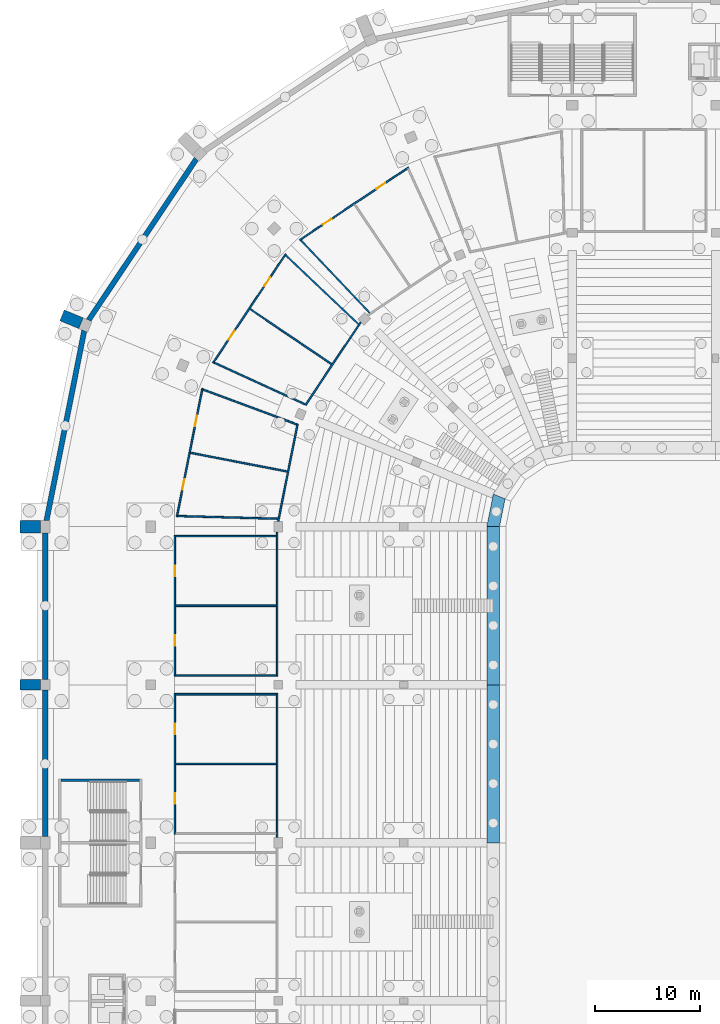
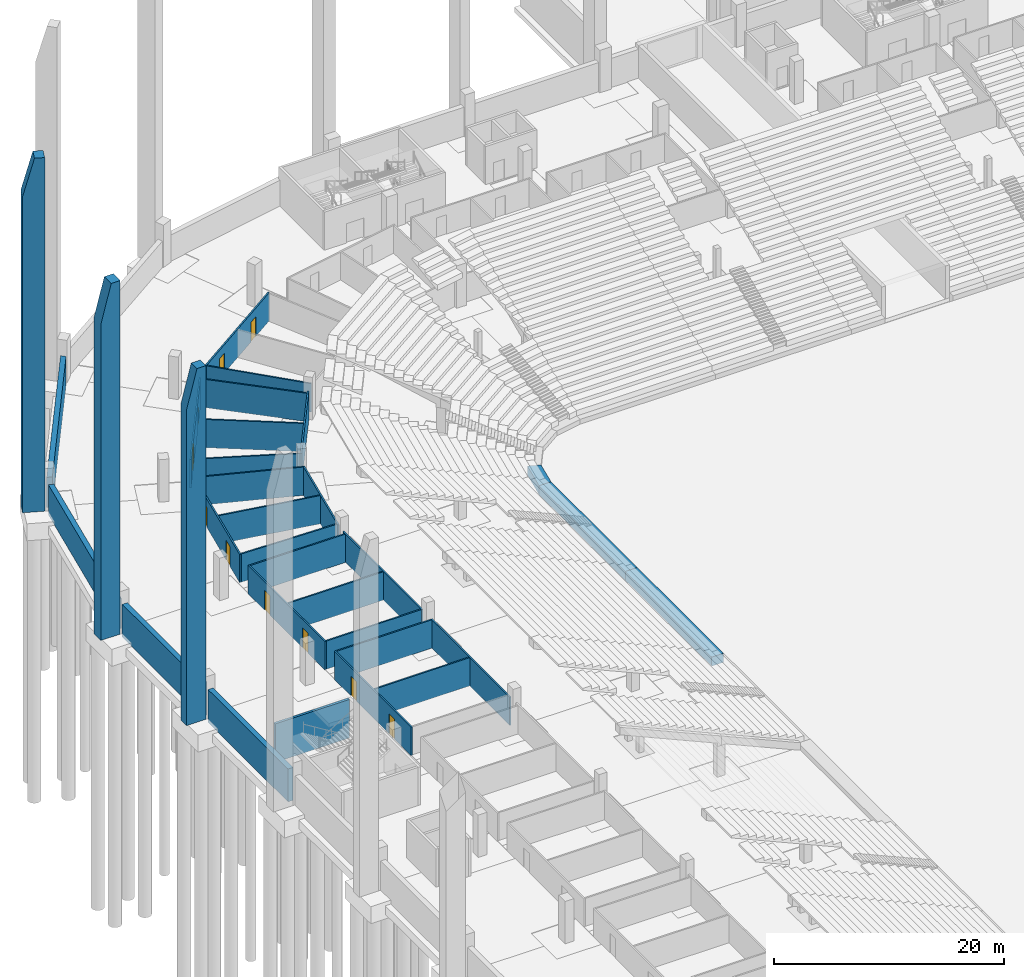
# One storey, part 34 of 115: 32 walls, 10 doors, 10 openings.
"""IFC4 building model written with IfcOpenShell, lengths in metres."""

from ifc_helpers import new_model, si_unit, direction, frame, frame_2d, origin, place, context, subcontext, project, spatial, polyline, rectangle, outline, extrude, material, layer, layer_set, type_object, element, fill, save


model = new_model("IFC4")

# Units and contexts
model_context = context("Model", 3, precision=1e-05, world=origin(), true_north=direction((0.0, 1.0)))
body_context = subcontext(model_context, "Body", "Model", "MODEL_VIEW")
ifc_project = project(units=[si_unit("LENGTHUNIT", "METRE"), si_unit("AREAUNIT", "SQUARE_METRE"), si_unit("VOLUMEUNIT", "CUBIC_METRE"), si_unit("PLANEANGLEUNIT", "RADIAN"), si_unit("MASSUNIT", "GRAM", prefix="KILO")], contexts=[model_context])

# Site, building, storey
site_placement = place(None, origin())
site = spatial("IfcSite", under=ifc_project, at=site_placement, CompositionType="ELEMENT")
building_placement = place(site_placement, origin())
building = spatial("IfcBuilding", under=site, at=building_placement, Name="Ogive Plaza Stadium", CompositionType="ELEMENT")
storey_placement = place(building_placement, frame((0.0, 0.0, -4.5)))
storey = spatial("IfcBuildingStorey", under=building, at=storey_placement, Name="B1", CompositionType="ELEMENT", Elevation=-4.5)

# Wall
ifc_material_1 = material(Name="Masonry blockwork", Category="masonry")
ifc_layer_1 = layer(ifc_material_1, 0.14990234375)
ifc_layer_set_1 = layer_set([ifc_layer_1], Name="Blockwork wall 150")
wall_type_1 = type_object("IfcWallType", Name="Blockwork wall 150", PredefinedType="SOLIDWALL", material=ifc_layer_set_1)
wall_1_placement = place(storey_placement, frame((-62.0, 23.0, 0.0), z_axis=(0.0, 0.0, 1.0), x_axis=(0.0, 1.0, 0.0)))
element("IfcWall", 1, at=wall_1_placement, inside=storey, type_object=wall_type_1, Name="Wall B1 B26", PredefinedType="SOLIDWALL", context=body_context, shape_type="SweptSolid", body=[
    extrude(rectangle(XDim=13.675048828125, YDim=0.14990234375, at=frame_2d((6.83740234375, 0.0))), origin(), (0.0, 0.0, 1.0), 3.0),
])

# Wall, openings, doors
wall_2_placement = place(storey_placement, frame((-71.699951171875, 23.324951171875, 0.0), z_axis=(0.0, 0.0, 1.0), x_axis=(0.0, 1.0, 0.0)))
wall_2 = element("IfcWall", 2, at=wall_2_placement, inside=storey, type_object=wall_type_1, Name="Wall B1 B26", PredefinedType="SOLIDWALL", context=body_context, shape_type="SweptSolid", body=[
    extrude(rectangle(XDim=13.35009765625, YDim=0.14990234375, at=frame_2d((6.675048828125, 0.0))), origin(), (0.0, 0.0, 1.0), 3.0),
])
opening_1_placement = place(wall_2_placement, frame((2.875, 0.0, 0.0)))
opening_1 = element("IfcOpeningElement", 3, at=opening_1_placement, cuts=wall_2, Name="Opening D0347", PredefinedType="OPENING", context=body_context, shape_type="SweptSolid", body=[
    extrude(rectangle(XDim=1.0, YDim=2.10009765625, at=frame_2d((0.5, 1.050048828125))), frame((0.0, 0.074951171875, 0.0), z_axis=(0.0, -1.0, 0.0), x_axis=(1.0, 0.0, 0.0)), (0.0, 0.0, 1.0), 0.14990234375),
])
opening_2_placement = place(wall_2_placement, frame((9.47509765625, 0.0, 0.0)))
opening_2 = element("IfcOpeningElement", 4, at=opening_2_placement, cuts=wall_2, Name="Opening D0348", PredefinedType="OPENING", context=body_context, shape_type="SweptSolid", body=[
    extrude(rectangle(XDim=1.0, YDim=2.10009765625, at=frame_2d((0.5, 1.050048828125))), frame((0.0, 0.074951171875, 0.0), z_axis=(0.0, -1.0, 0.0), x_axis=(1.0, 0.0, 0.0)), (0.0, 0.0, 1.0), 0.14990234375),
])
ifc_material_2 = material(Name="Steel ASTM A572 Grade 50", Category="steel")
door_type_1 = type_object("IfcDoorType", Name="Fire door FD60 1000 x 2100", OperationType="SINGLE_SWING_LEFT", PredefinedType="DOOR", material=ifc_material_2)
door_1_placement = place(opening_1_placement, origin())
door_1 = element("IfcDoor", 5, at=door_1_placement, inside=storey, type_object=door_type_1, Name="Match Officials Room B26 door", OperationType="SINGLE_SWING_RIGHT", OverallHeight=2.10009765625, OverallWidth=1.0, PredefinedType="DOOR", context=body_context, shape_type="SweptSolid", body=[
    extrude(rectangle(XDim=1.0, YDim=2.10009765625, at=frame_2d((0.5, 1.050048828125))), frame((0.0, 0.02490234375, 0.0), z_axis=(0.0, -1.0, 0.0), x_axis=(1.0, 0.0, 0.0)), (0.0, 0.0, 1.0), 0.050048828125),
])
fill(opening_1, door_1)
door_2_placement = place(opening_2_placement, origin())
door_2 = element("IfcDoor", 6, at=door_2_placement, inside=storey, type_object=door_type_1, Name="Doping Control Room B26 door", OperationType="SINGLE_SWING_LEFT", OverallHeight=2.10009765625, OverallWidth=1.0, PredefinedType="DOOR", context=body_context, shape_type="SweptSolid", body=[
    extrude(rectangle(XDim=1.0, YDim=2.10009765625, at=frame_2d((0.5, 1.050048828125))), frame((0.0, 0.02490234375, 0.0), z_axis=(0.0, -1.0, 0.0), x_axis=(1.0, 0.0, 0.0)), (0.0, 0.0, 1.0), 0.050048828125),
])
fill(opening_2, door_2)

# Walls
for number, where, z_axis, x_axis, name in (
    (7, (-62.074951171875, 30.0, 0.0), (0.0, 0.0, 1.0), (-1.0, 0.0, 0.0), "Wall B1 B26"),
    (8, (-62.074951171875, 36.60009765625, 0.0), (0.0, 0.0, 1.0), (-1.0, 0.0, 0.0), "Wall B1 B26"),
):
    element("IfcWall", number, at=place(storey_placement, frame(where, z_axis=z_axis, x_axis=x_axis)), inside=storey, type_object=wall_type_1, Name=name, PredefinedType="SOLIDWALL", context=body_context, shape_type="SweptSolid", body=[
        extrude(rectangle(XDim=9.550048828125, YDim=0.14990234375, at=frame_2d((4.77490234375, 0.0))), origin(), (0.0, 0.0, 1.0), 3.0),
    ])
wall_3_placement = place(storey_placement, frame((-62.0, 52.0, 0.0), z_axis=(0.0, 0.0, 1.0), x_axis=(0.0, -1.0, 0.0)))
element("IfcWall", 9, at=wall_3_placement, inside=storey, type_object=wall_type_1, Name="Wall B1 B27", PredefinedType="SOLIDWALL", context=body_context, shape_type="SweptSolid", body=[
    extrude(rectangle(XDim=13.675048828125, YDim=0.14990234375, at=frame_2d((6.83740234375, 0.0))), origin(), (0.0, 0.0, 1.0), 3.0),
])

# Wall, openings, doors
wall_4_placement = place(storey_placement, frame((-71.699951171875, 51.675048828125, 0.0), z_axis=(0.0, 0.0, 1.0), x_axis=(0.0, -1.0, 0.0)))
wall_4 = element("IfcWall", 10, at=wall_4_placement, inside=storey, type_object=wall_type_1, Name="Wall B1 B27", PredefinedType="SOLIDWALL", context=body_context, shape_type="SweptSolid", body=[
    extrude(rectangle(XDim=13.35009765625, YDim=0.14990234375, at=frame_2d((6.675048828125, 0.0))), origin(), (0.0, 0.0, 1.0), 3.0),
])
opening_3_placement = place(wall_4_placement, frame((2.875, 0.0, 0.0)))
opening_3 = element("IfcOpeningElement", 11, at=opening_3_placement, cuts=wall_4, Name="Opening D0349", PredefinedType="OPENING", context=body_context, shape_type="SweptSolid", body=[
    extrude(rectangle(XDim=1.0, YDim=2.10009765625, at=frame_2d((0.5, 1.050048828125))), frame((0.0, 0.074951171875, 0.0), z_axis=(0.0, -1.0, 0.0), x_axis=(1.0, 0.0, 0.0)), (0.0, 0.0, 1.0), 0.14990234375),
])
opening_4_placement = place(wall_4_placement, frame((9.47509765625, 0.0, 0.0)))
opening_4 = element("IfcOpeningElement", 12, at=opening_4_placement, cuts=wall_4, Name="Opening D0350", PredefinedType="OPENING", context=body_context, shape_type="SweptSolid", body=[
    extrude(rectangle(XDim=1.0, YDim=2.10009765625, at=frame_2d((0.5, 1.050048828125))), frame((0.0, 0.074951171875, 0.0), z_axis=(0.0, -1.0, 0.0), x_axis=(1.0, 0.0, 0.0)), (0.0, 0.0, 1.0), 0.14990234375),
])
door_3_placement = place(opening_3_placement, origin())
door_3 = element("IfcDoor", 13, at=door_3_placement, inside=storey, type_object=door_type_1, Name="Doping Control Room B27 door", OperationType="SINGLE_SWING_LEFT", OverallHeight=2.10009765625, OverallWidth=1.0, PredefinedType="DOOR", context=body_context, shape_type="SweptSolid", body=[
    extrude(rectangle(XDim=1.0, YDim=2.10009765625, at=frame_2d((0.5, 1.050048828125))), frame((0.0, 0.02490234375, 0.0), z_axis=(0.0, -1.0, 0.0), x_axis=(1.0, 0.0, 0.0)), (0.0, 0.0, 1.0), 0.050048828125),
])
fill(opening_3, door_3)
door_4_placement = place(opening_4_placement, origin())
door_4 = element("IfcDoor", 14, at=door_4_placement, inside=storey, type_object=door_type_1, Name="Equipment Store B27 door", OperationType="SINGLE_SWING_RIGHT", OverallHeight=2.10009765625, OverallWidth=1.0, PredefinedType="DOOR", context=body_context, shape_type="SweptSolid", body=[
    extrude(rectangle(XDim=1.0, YDim=2.10009765625, at=frame_2d((0.5, 1.050048828125))), frame((0.0, 0.02490234375, 0.0), z_axis=(0.0, -1.0, 0.0), x_axis=(1.0, 0.0, 0.0)), (0.0, 0.0, 1.0), 0.050048828125),
])
fill(opening_4, door_4)

# Walls
for number, where, z_axis, x_axis, name in (
    (15, (-62.074951171875, 51.60009765625, 0.0), (0.0, 0.0, 1.0), (-1.0, 0.0, 0.0), "Wall B1 B27"),
    (16, (-62.074951171875, 45.0, 0.0), (0.0, 0.0, 1.0), (-1.0, 0.0, 0.0), "Wall B1 B27"),
    (17, (-62.074951171875, 38.39990234375, 0.0), (0.0, 0.0, 1.0), (-1.0, 0.0, 0.0), "Wall B1 B27"),
):
    element("IfcWall", number, at=place(storey_placement, frame(where, z_axis=z_axis, x_axis=x_axis)), inside=storey, type_object=wall_type_1, Name=name, PredefinedType="SOLIDWALL", context=body_context, shape_type="SweptSolid", body=[
        extrude(rectangle(XDim=9.550048828125, YDim=0.14990234375, at=frame_2d((4.77490234375, 0.0))), origin(), (0.0, 0.0, 1.0), 3.0),
    ])
wall_5_placement = place(storey_placement, frame((-61.900634765625, 53.0, 0.0), z_axis=(0.0, 0.0, 1.0), x_axis=(0.195090337241, 0.980785277375, 0.0)))
element("IfcWall", 18, at=wall_5_placement, inside=storey, type_object=wall_type_1, Name="Wall B1 B28", PredefinedType="SOLIDWALL", context=body_context, shape_type="SweptSolid", body=[
    extrude(rectangle(XDim=9.429443359375, YDim=0.14990234375, at=frame_2d((4.71484375, 0.0))), origin(), (0.0, 0.0, 1.0), 3.0),
])

# Wall, openings, doors
wall_6_placement = place(storey_placement, frame((-71.515380859375, 53.4287109375, 0.0), z_axis=(0.0, 0.0, 1.0), x_axis=(0.19510797715, 0.980781768414, 0.0)))
wall_6 = element("IfcWall", 19, at=wall_6_placement, inside=storey, type_object=wall_type_1, Name="Wall B1 B28", PredefinedType="SOLIDWALL", context=body_context, shape_type="SweptSolid", body=[
    extrude(rectangle(XDim=12.435546875, YDim=0.14990234375, at=frame_2d((6.2177734375, 0.0))), origin(), (0.0, 0.0, 1.0), 3.0),
])
opening_5_placement = place(wall_6_placement, frame((2.65185546875, 0.0, 0.0)))
opening_5 = element("IfcOpeningElement", 20, at=opening_5_placement, cuts=wall_6, Name="Opening D0351", PredefinedType="OPENING", context=body_context, shape_type="SweptSolid", body=[
    extrude(rectangle(XDim=1.0, YDim=2.10009765625, at=frame_2d((0.5, 1.050048828125))), frame((0.0, 0.074951171875, 0.0), z_axis=(0.0, -1.0, 0.0), x_axis=(1.0, 0.0, 0.0)), (0.0, 0.0, 1.0), 0.14990234375),
])
opening_6_placement = place(wall_6_placement, frame((8.78369140625, 0.0, 0.0)))
opening_6 = element("IfcOpeningElement", 21, at=opening_6_placement, cuts=wall_6, Name="Opening D0352", PredefinedType="OPENING", context=body_context, shape_type="SweptSolid", body=[
    extrude(rectangle(XDim=1.0, YDim=2.10009765625, at=frame_2d((0.5, 1.050048828125))), frame((0.0, 0.074951171875, 0.0), z_axis=(0.0, -1.0, 0.0), x_axis=(1.0, 0.0, 0.0)), (0.0, 0.0, 1.0), 0.14990234375),
])
door_5_placement = place(opening_5_placement, origin())
door_5 = element("IfcDoor", 22, at=door_5_placement, inside=storey, type_object=door_type_1, Name="Equipment Store B28 door", OperationType="SINGLE_SWING_LEFT", OverallHeight=2.10009765625, OverallWidth=1.0, PredefinedType="DOOR", context=body_context, shape_type="SweptSolid", body=[
    extrude(rectangle(XDim=1.0, YDim=2.10009765625, at=frame_2d((0.5, 1.050048828125))), frame((0.0, 0.02490234375, 0.0), z_axis=(0.0, -1.0, 0.0), x_axis=(1.0, 0.0, 0.0)), (0.0, 0.0, 1.0), 0.050048828125),
])
fill(opening_5, door_5)
door_6_placement = place(opening_6_placement, origin())
door_6 = element("IfcDoor", 23, at=door_6_placement, inside=storey, type_object=door_type_1, Name="Kit Store B28 door", OperationType="SINGLE_SWING_RIGHT", OverallHeight=2.10009765625, OverallWidth=1.0, PredefinedType="DOOR", context=body_context, shape_type="SweptSolid", body=[
    extrude(rectangle(XDim=1.0, YDim=2.10009765625, at=frame_2d((0.5, 1.050048828125))), frame((0.0, 0.02490234375, 0.0), z_axis=(0.0, -1.0, 0.0), x_axis=(1.0, 0.0, 0.0)), (0.0, 0.0, 1.0), 0.050048828125),
])
fill(opening_6, door_6)

# Walls
wall_7_placement = place(storey_placement, frame((-61.925048828125, 53.25439453125, 0.0), z_axis=(0.0, 0.0, 1.0), x_axis=(-0.999635344856, 0.027003283405, 0.0)))
element("IfcWall", 24, at=wall_7_placement, inside=storey, type_object=wall_type_1, Name="Wall B1 B28", PredefinedType="SOLIDWALL", context=body_context, shape_type="SweptSolid", body=[
    extrude(rectangle(XDim=9.502197265625, YDim=0.14990234375, at=frame_2d((4.7509765625, 0.0))), origin(), (0.0, 0.0, 1.0), 3.0),
])
wall_8_placement = place(storey_placement, frame((-61.0341796875, 57.73291015625, 0.0), z_axis=(0.0, 0.0, 1.0), x_axis=(-0.98177592882, 0.190042167924, 0.0)))
element("IfcWall", 25, at=wall_8_placement, inside=storey, type_object=wall_type_1, Name="Wall B1 B28", PredefinedType="SOLIDWALL", context=body_context, shape_type="SweptSolid", body=[
    extrude(rectangle(XDim=9.366455078125, YDim=0.14990234375, at=frame_2d((4.68310546875, 0.0))), origin(), (0.0, 0.0, 1.0), 3.0),
])
wall_9_placement = place(storey_placement, frame((-60.143310546875, 62.21142578125, 0.0), z_axis=(0.0, 0.0, 1.0), x_axis=(-0.937410871216, 0.348225298515, 0.0)))
element("IfcWall", 26, at=wall_9_placement, inside=storey, type_object=wall_type_1, Name="Wall B1 B28", PredefinedType="SOLIDWALL", context=body_context, shape_type="SweptSolid", body=[
    extrude(rectangle(XDim=9.486572265625, YDim=0.14990234375, at=frame_2d((4.7431640625, 0.0))), origin(), (0.0, 0.0, 1.0), 3.0),
])
wall_10_placement = place(storey_placement, frame((-54.053955078125, 71.91748046875, 0.0), z_axis=(0.0, 0.0, 1.0), x_axis=(-0.555561621569, -0.831475366226, 0.0)))
element("IfcWall", 27, at=wall_10_placement, inside=storey, type_object=wall_type_1, Name="Wall B1 B29", PredefinedType="SOLIDWALL", context=body_context, shape_type="SweptSolid", body=[
    extrude(rectangle(XDim=9.480224609375, YDim=0.14990234375, at=frame_2d((4.740234375, 0.0))), origin(), (0.0, 0.0, 1.0), 3.0),
])

# Wall, openings, doors
wall_11_placement = place(storey_placement, frame((-61.183837890625, 78.37060546875, 0.0), z_axis=(0.0, 0.0, 1.0), x_axis=(-0.555574282091, -0.831466906785, 0.0)))
wall_11 = element("IfcWall", 28, at=wall_11_placement, inside=storey, type_object=wall_type_1, Name="Wall B1 B29", PredefinedType="SOLIDWALL", context=body_context, shape_type="SweptSolid", body=[
    extrude(rectangle(XDim=12.435546875, YDim=0.14990234375, at=frame_2d((6.2177734375, 0.0))), origin(), (0.0, 0.0, 1.0), 3.0),
])
opening_7_placement = place(wall_11_placement, frame((2.65185546875, 0.0, 0.0)))
opening_7 = element("IfcOpeningElement", 29, at=opening_7_placement, cuts=wall_11, Name="Opening D0353", PredefinedType="OPENING", context=body_context, shape_type="SweptSolid", body=[
    extrude(rectangle(XDim=1.0, YDim=2.10009765625, at=frame_2d((0.5, 1.050048828125))), frame((0.0, 0.074951171875, 0.0), z_axis=(0.0, -1.0, 0.0), x_axis=(1.0, 0.0, 0.0)), (0.0, 0.0, 1.0), 0.14990234375),
])
opening_8_placement = place(wall_11_placement, frame((8.78369140625, 0.0, 0.0)))
opening_8 = element("IfcOpeningElement", 30, at=opening_8_placement, cuts=wall_11, Name="Opening D0354", PredefinedType="OPENING", context=body_context, shape_type="SweptSolid", body=[
    extrude(rectangle(XDim=1.0, YDim=2.10009765625, at=frame_2d((0.5, 1.050048828125))), frame((0.0, 0.074951171875, 0.0), z_axis=(0.0, -1.0, 0.0), x_axis=(1.0, 0.0, 0.0)), (0.0, 0.0, 1.0), 0.14990234375),
])
ifc_material_3 = material(Name="Steel ASTM A572 Grade 50", Category="steel")
door_type_2 = type_object("IfcDoorType", Name="Door 1000 x 2100", OperationType="SINGLE_SWING_LEFT", PredefinedType="DOOR", material=ifc_material_3)
door_7_placement = place(opening_8_placement, origin())
door_7 = element("IfcDoor", 31, at=door_7_placement, inside=storey, type_object=door_type_2, Name="Press Mixed Zone B29 door", OperationType="SINGLE_SWING_LEFT", OverallHeight=2.10009765625, OverallWidth=1.0, PredefinedType="DOOR", context=body_context, shape_type="SweptSolid", body=[
    extrude(rectangle(XDim=1.0, YDim=2.10009765625, at=frame_2d((0.5, 1.050048828125))), frame((0.0, 0.02490234375, 0.0), z_axis=(0.0, -1.0, 0.0), x_axis=(1.0, 0.0, 0.0)), (0.0, 0.0, 1.0), 0.050048828125),
])
fill(opening_8, door_7)
door_8_placement = place(opening_7_placement, origin())
door_8 = element("IfcDoor", 32, at=door_8_placement, inside=storey, type_object=door_type_1, Name="Kit Store B29 door", OperationType="SINGLE_SWING_RIGHT", OverallHeight=2.10009765625, OverallWidth=1.0, PredefinedType="DOOR", context=body_context, shape_type="SweptSolid", body=[
    extrude(rectangle(XDim=1.0, YDim=2.10009765625, at=frame_2d((0.5, 1.050048828125))), frame((0.0, 0.02490234375, 0.0), z_axis=(0.0, -1.0, 0.0), x_axis=(1.0, 0.0, 0.0)), (0.0, 0.0, 1.0), 0.050048828125),
])
fill(opening_7, door_8)

# Walls
wall_12_placement = place(storey_placement, frame((-54.279296875, 71.71240234375, 0.0), z_axis=(0.0, 0.0, 1.0), x_axis=(-0.725938506053, 0.687759613114, 0.0)))
element("IfcWall", 33, at=wall_12_placement, inside=storey, type_object=wall_type_1, Name="Wall B1 B29", PredefinedType="SOLIDWALL", context=body_context, shape_type="SweptSolid", body=[
    extrude(rectangle(XDim=9.50244140625, YDim=0.14990234375, at=frame_2d((4.751220703125, 0.0))), origin(), (0.0, 0.0, 1.0), 3.0),
])
wall_13_placement = place(storey_placement, frame((-56.816162109375, 67.915771484375, 0.0), z_axis=(0.0, 0.0, 1.0), x_axis=(-0.828597791905, 0.5598443527, 0.0)))
element("IfcWall", 34, at=wall_13_placement, inside=storey, type_object=wall_type_1, Name="Wall B1 B29", PredefinedType="SOLIDWALL", context=body_context, shape_type="SweptSolid", body=[
    extrude(rectangle(XDim=9.36669921875, YDim=0.14990234375, at=frame_2d((4.683349609375, 0.0))), origin(), (0.0, 0.0, 1.0), 3.0),
])
wall_14_placement = place(storey_placement, frame((-59.35302734375, 64.119140625, 0.0), z_axis=(0.0, 0.0, 1.0), x_axis=(-0.909090408533, 0.416598882755, 0.0)))
element("IfcWall", 35, at=wall_14_placement, inside=storey, type_object=wall_type_1, Name="Wall B1 B29", PredefinedType="SOLIDWALL", context=body_context, shape_type="SweptSolid", body=[
    extrude(rectangle(XDim=9.48681640625, YDim=0.14990234375, at=frame_2d((4.743408203125, 0.0))), origin(), (0.0, 0.0, 1.0), 3.0),
])
ifc_material_4 = material(Name="Concrete C45/55 precast", Category="concrete")
ifc_layer_2 = layer(ifc_material_4, 0.949951171875)
ifc_material_5 = material(Name="Cast stone (reconstituted limestone)", Category="masonry")
ifc_layer_3 = layer(ifc_material_5, 0.050048828125)
ifc_layer_set_2 = layer_set([ifc_layer_2, ifc_layer_3], Name="Concrete C45/55 precast, cast stone facing")
wall_type_2 = type_object("IfcWallType", Name="Buttress pier 1000", PredefinedType="SOLIDWALL", material=ifc_layer_set_2)
wall_15_placement = place(storey_placement, frame((-84.449951171875, 37.5, 0.0), z_axis=(0.0, 0.0, 1.0), x_axis=(-1.0, 0.0, 0.0)))
element("IfcWall", 36, at=wall_15_placement, inside=storey, type_object=wall_type_2, Name="BUTTRESS PIER R27", PredefinedType="SOLIDWALL", context=body_context, shape_type="SweptSolid", body=[
    extrude(outline(polyline([(0.0, 0.0), (1.949951171875, 0.0), (1.949951171875, 33.5), (0.89990234375, 37.5), (0.0, 37.5), (0.0, 0.0)])), frame((0.0, 0.5, 0.0), z_axis=(0.0, -1.0, 0.0), x_axis=(1.0, 0.0, 0.0)), (0.0, 0.0, 1.0), 1.0),
])
ifc_material_6 = material(Name="Concrete C45/55 precast", Category="concrete")
ifc_layer_4 = layer(ifc_material_6, 1.050048828125)
ifc_material_7 = material(Name="Cast stone (reconstituted limestone)", Category="masonry")
ifc_layer_5 = layer(ifc_material_7, 0.050048828125)
ifc_layer_set_3 = layer_set([ifc_layer_4, ifc_layer_5], Name="Concrete C45/55 precast, cast stone facing")
wall_type_3 = type_object("IfcWallType", Name="Buttress pier 1100", PredefinedType="SOLIDWALL", material=ifc_layer_set_3)
wall_16_placement = place(storey_placement, frame((-80.609619140625, 71.806396484375, 0.0), z_axis=(0.0, 0.0, 1.0), x_axis=(-0.923919190445, 0.38258767561, 0.0)))
element("IfcWall", 37, at=wall_16_placement, inside=storey, type_object=wall_type_3, Name="BUTTRESS PIER R29", PredefinedType="SOLIDWALL", context=body_context, shape_type="SweptSolid", body=[
    extrude(outline(polyline([(0.0, 0.0), (1.9501953125, 0.0), (1.949951171875, 33.5), (0.89990234375, 37.5), (0.0, 37.5), (0.0, 0.0)])), frame((0.0, 0.550048828125, 0.0), z_axis=(0.0, -1.0, 0.0), x_axis=(1.0, 0.0, 0.0)), (0.0, 0.0, 1.0), 1.10009765625),
])
ifc_material_8 = material(Name="Concrete C45/55 precast", Category="concrete")
ifc_layer_6 = layer(ifc_material_8, 1.14990234375)
ifc_material_9 = material(Name="Cast stone (reconstituted limestone)", Category="masonry")
ifc_layer_7 = layer(ifc_material_9, 0.050048828125)
ifc_layer_set_4 = layer_set([ifc_layer_6, ifc_layer_7], Name="Concrete C45/55 precast, cast stone facing")
wall_type_4 = type_object("IfcWallType", Name="Buttress pier 1200", PredefinedType="SOLIDWALL", material=ifc_layer_set_4)
wall_17_placement = place(storey_placement, frame((-84.449951171875, 52.5, 0.0), z_axis=(0.0, 0.0, 1.0), x_axis=(-1.0, 0.0, 0.0)))
element("IfcWall", 38, at=wall_17_placement, inside=storey, type_object=wall_type_4, Name="BUTTRESS PIER R28", PredefinedType="SOLIDWALL", context=body_context, shape_type="SweptSolid", body=[
    extrude(outline(polyline([(0.0, 0.0), (1.949951171875, 0.0), (1.949951171875, 33.5), (0.89990234375, 37.5), (0.0, 37.5), (0.0, 0.0)])), frame((0.0, 0.60009765625, 0.0), z_axis=(0.0, -1.0, 0.0), x_axis=(1.0, 0.0, 0.0)), (0.0, 0.0, 1.0), 1.199951171875),
])
ifc_material_10 = material(Name="Concrete C40/50", Category="concrete")
ifc_layer_8 = layer(ifc_material_10, 0.25)
ifc_layer_set_5 = layer_set([ifc_layer_8], Name="Concrete C40/50")
wall_type_5 = type_object("IfcWallType", Name="Core wall 250", PredefinedType="SHEAR", material=ifc_layer_set_5)
wall_18_placement = place(storey_placement, frame((-75.050048828125, 28.449951171875, 0.0), z_axis=(0.0, 0.0, 1.0), x_axis=(-1.0, 0.0, 0.0)))
element("IfcWall", 39, at=wall_18_placement, inside=storey, type_object=wall_type_5, Name="Stair core R26 side wall", PredefinedType="SHEAR", context=body_context, shape_type="SweptSolid", body=[
    extrude(rectangle(XDim=7.4599609375, YDim=0.25, at=frame_2d((3.72998046875, 0.0))), origin(), (0.0, 0.0, 1.0), 4.090087890625),
])

# Wall, openings, doors
ifc_material_11 = material(Name="Gypsum board partition", Category="gypsum")
ifc_layer_9 = layer(ifc_material_11, 0.14990234375)
ifc_layer_set_6 = layer_set([ifc_layer_9], Name="Partition 150")
wall_type_6 = type_object("IfcWallType", Name="Partition 150", PredefinedType="PARTITIONING", material=ifc_layer_set_6)
wall_19_placement = place(storey_placement, frame((-59.87060546875, 79.683837890625, 0.0), z_axis=(0.0, 0.0, 1.0), x_axis=(0.831466906785, 0.555574282091, 0.0)))
wall_19 = element("IfcWall", 40, at=wall_19_placement, inside=storey, type_object=wall_type_6, Name="Wall B1 B30", PredefinedType="PARTITIONING", context=body_context, shape_type="SweptSolid", body=[
    extrude(rectangle(XDim=12.435546875, YDim=0.14990234375, at=frame_2d((6.2177734375, 0.0))), origin(), (0.0, 0.0, 1.0), 3.0),
])
opening_9_placement = place(wall_19_placement, frame((2.65185546875, 0.0, 0.0)))
opening_9 = element("IfcOpeningElement", 41, at=opening_9_placement, cuts=wall_19, Name="Opening D0355", PredefinedType="OPENING", context=body_context, shape_type="SweptSolid", body=[
    extrude(rectangle(XDim=1.0, YDim=2.10009765625, at=frame_2d((0.5, 1.050048828125))), frame((0.0, 0.074951171875, 0.0), z_axis=(0.0, -1.0, 0.0), x_axis=(1.0, 0.0, 0.0)), (0.0, 0.0, 1.0), 0.14990234375),
])
opening_10_placement = place(wall_19_placement, frame((8.78369140625, 0.0, 0.0)))
opening_10 = element("IfcOpeningElement", 42, at=opening_10_placement, cuts=wall_19, Name="Opening D0356", PredefinedType="OPENING", context=body_context, shape_type="SweptSolid", body=[
    extrude(rectangle(XDim=1.0, YDim=2.10009765625, at=frame_2d((0.5, 1.050048828125))), frame((0.0, 0.074951171875, 0.0), z_axis=(0.0, -1.0, 0.0), x_axis=(1.0, 0.0, 0.0)), (0.0, 0.0, 1.0), 0.14990234375),
])
door_9_placement = place(opening_9_placement, origin())
door_9 = element("IfcDoor", 43, at=door_9_placement, inside=storey, type_object=door_type_2, Name="Press Mixed Zone B30 door", OperationType="SINGLE_SWING_LEFT", OverallHeight=2.10009765625, OverallWidth=1.0, PredefinedType="DOOR", context=body_context, shape_type="SweptSolid", body=[
    extrude(rectangle(XDim=1.0, YDim=2.10009765625, at=frame_2d((0.5, 1.050048828125))), frame((0.0, 0.02490234375, 0.0), z_axis=(0.0, -1.0, 0.0), x_axis=(1.0, 0.0, 0.0)), (0.0, 0.0, 1.0), 0.050048828125),
])
fill(opening_9, door_9)
door_10_placement = place(opening_10_placement, origin())
door_10 = element("IfcDoor", 44, at=door_10_placement, inside=storey, type_object=door_type_2, Name="Broadcast Compound Room B30 door", OperationType="SINGLE_SWING_RIGHT", OverallHeight=2.10009765625, OverallWidth=1.0, PredefinedType="DOOR", context=body_context, shape_type="SweptSolid", body=[
    extrude(rectangle(XDim=1.0, YDim=2.10009765625, at=frame_2d((0.5, 1.050048828125))), frame((0.0, 0.02490234375, 0.0), z_axis=(0.0, -1.0, 0.0), x_axis=(1.0, 0.0, 0.0)), (0.0, 0.0, 1.0), 0.050048828125),
])
fill(opening_10, door_10)

# Walls
wall_20_placement = place(storey_placement, frame((-53.21240234375, 72.779296875, 0.0), z_axis=(0.0, 0.0, 1.0), x_axis=(-0.687759613114, 0.725938506053, 0.0)))
element("IfcWall", 45, at=wall_20_placement, inside=storey, type_object=wall_type_6, Name="Wall B1 B30", PredefinedType="PARTITIONING", context=body_context, shape_type="SweptSolid", body=[
    extrude(rectangle(XDim=9.50244140625, YDim=0.14990234375, at=frame_2d((4.751220703125, 0.0))), origin(), (0.0, 0.0, 1.0), 3.0),
])
ifc_material_12 = material(Name="Concrete C40/50", Category="concrete")
ifc_layer_10 = layer(ifc_material_12, 1.199951171875)
ifc_layer_set_7 = layer_set([ifc_layer_10], Name="Concrete C40/50")
wall_type_7 = type_object("IfcWallType", Name="RC front wall 1200", PredefinedType="SOLIDWALL", material=ifc_layer_set_7)
wall_21_placement = place(storey_placement, frame((0.0, 0.0, -0.39990234375)))
element("IfcWall", 46, at=wall_21_placement, inside=storey, type_object=wall_type_7, Name="Front wall B26", PredefinedType="SOLIDWALL", context=body_context, shape_type="SweptSolid", body=[
    extrude(outline(polyline([(-40.89990234375, 37.5), (-42.10009765625, 37.5), (-42.10009765625, 22.5), (-40.89990234375, 22.5), (-40.89990234375, 37.5)])), origin(), (0.0, 0.0, 1.0), 0.949951171875),
])
wall_22_placement = place(storey_placement, frame((0.0, 0.0, -0.39990234375)))
element("IfcWall", 47, at=wall_22_placement, inside=storey, type_object=wall_type_7, Name="Front wall B27", PredefinedType="SOLIDWALL", context=body_context, shape_type="SweptSolid", body=[
    extrude(outline(polyline([(-40.89990234375, 52.5), (-42.10009765625, 52.5), (-42.10009765625, 37.5), (-40.89990234375, 37.5), (-40.89990234375, 52.5)])), origin(), (0.0, 0.0, 1.0), 0.949951171875),
])
wall_23_placement = place(storey_placement, frame((0.0, 0.0, -0.39990234375)))
element("IfcWall", 48, at=wall_23_placement, inside=storey, type_object=wall_type_7, Name="Front wall B28", PredefinedType="SOLIDWALL", context=body_context, shape_type="SweptSolid", body=[
    extrude(outline(polyline([(-40.374755859375, 55.140625), (-41.4833984375, 55.599853515625), (-42.10009765625, 52.5), (-40.89990234375, 52.5), (-40.374755859375, 55.140625)])), origin(), (0.0, 0.0, 1.0), 0.949951171875),
])
ifc_material_13 = material(Name="Concrete C40/50", Category="concrete")
ifc_layer_11 = layer(ifc_material_13, 0.5)
ifc_layer_set_8 = layer_set([ifc_layer_11], Name="Concrete C40/50")
wall_type_8 = type_object("IfcWallType", Name="RC retaining wall 500", PredefinedType="SOLIDWALL", material=ifc_layer_set_8)
for number, where, z_axis, x_axis, name in (
    (49, (-84.0, 23.10009765625, -0.39990234375), (0.0, 0.0, 1.0), (0.0, 1.0, 0.0), "Retaining wall B26"),
    (50, (-84.0, 38.0, -0.39990234375), (0.0, 0.0, 1.0), (0.0, 1.0, 0.0), "Retaining wall B27"),
):
    element("IfcWall", number, at=place(storey_placement, frame(where, z_axis=z_axis, x_axis=x_axis)), inside=storey, type_object=wall_type_8, Name=name, PredefinedType="SOLIDWALL", context=body_context, shape_type="SweptSolid", body=[
        extrude(rectangle(XDim=13.89990234375, YDim=0.5, at=frame_2d((6.949951171875, 0.0))), origin(), (0.0, 0.0, 1.0), 3.489990234375),
    ])
ifc_material_14 = material(Name="Concrete C40/50", Category="concrete")
ifc_layer_12 = layer(ifc_material_14, 0.5)
ifc_layer_set_9 = layer_set([ifc_layer_12], Name="Concrete C40/50")
wall_type_9 = type_object("IfcWallType", Name="RC retaining wall 500 A", PredefinedType="SOLIDWALL", material=ifc_layer_set_9)
wall_24_placement = place(storey_placement, frame((0.0, 0.0, -0.39990234375)))
element("IfcWall", 51, at=wall_24_placement, inside=storey, type_object=wall_type_9, Name="Retaining wall B28", PredefinedType="SOLIDWALL", context=body_context, shape_type="SweptSolid", body=[
    extrude(outline(polyline([(-80.072509765625, 70.988525390625), (-80.534423828125, 71.179931640625), (-84.130615234375, 53.10009765625), (-83.630615234375, 53.10009765625), (-80.072509765625, 70.988525390625)])), origin(), (0.0, 0.0, 1.0), 3.18994140625),
])
wall_25_placement = place(storey_placement, frame((0.0, 0.0, -0.39990234375)))
element("IfcWall", 52, at=wall_25_placement, inside=storey, type_object=wall_type_9, Name="Retaining wall B29", PredefinedType="SOLIDWALL", context=body_context, shape_type="SweptSolid", body=[
    extrude(outline(polyline([(-69.489990234375, 87.21240234375), (-69.84375, 87.56591796875), (-80.11328125, 72.196044921875), (-79.6513671875, 72.0048828125), (-69.489990234375, 87.21240234375)])), origin(), (0.0, 0.0, 1.0), 3.18994140625),
])

save(model, "model.ifc")
